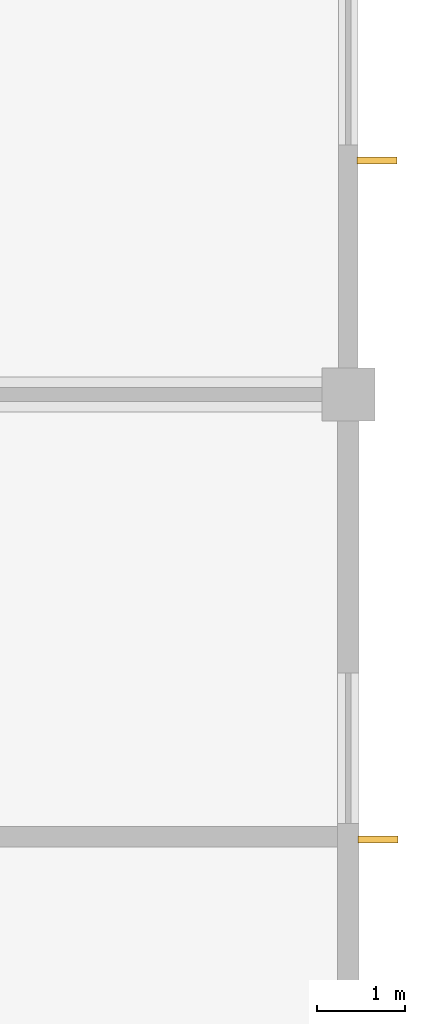
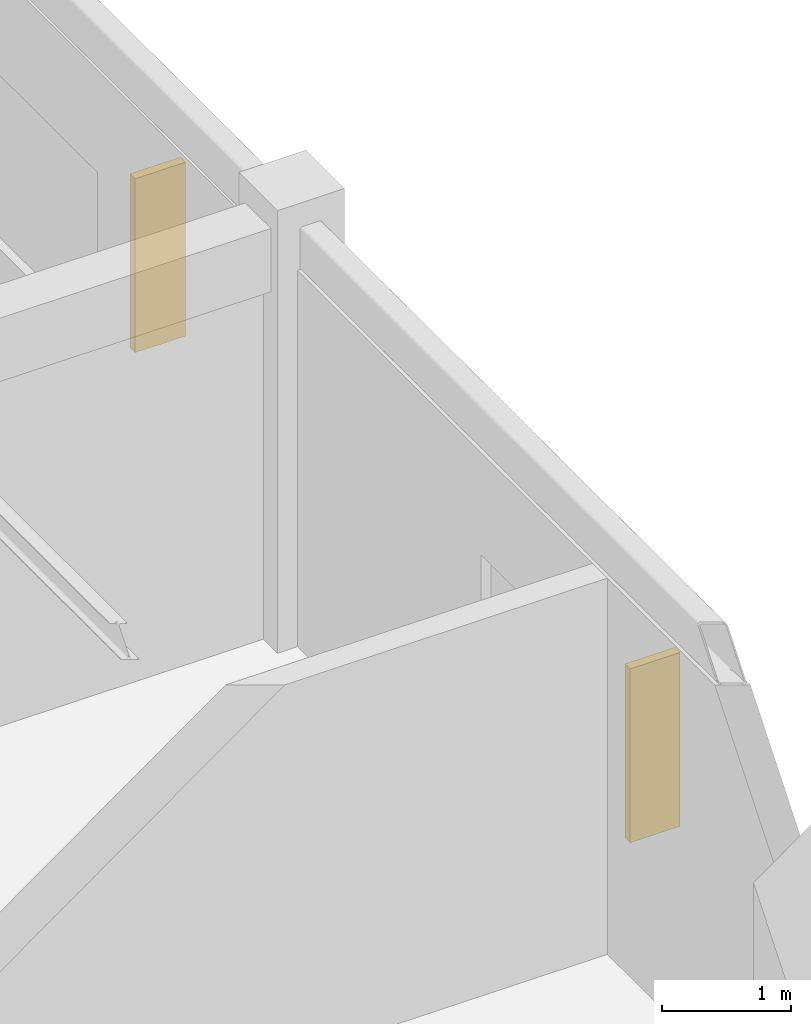
# One storey, part 27 of 27: 2 shading devices.
"""IFC4 building model written with IfcOpenShell, lengths in metres."""

from ifc_helpers import new_model, si_unit, direction, frame, origin, origin_2d, place, context, subcontext, project, spatial, rectangle, extrude, material, type_object, element, save


model = new_model("IFC4")

# Units and contexts
model_context = context("Model", 3, precision=1e-05, world=origin(), true_north=direction((0.0, 1.0)))
body_context = subcontext(model_context, "Body", "Model", "MODEL_VIEW")
ifc_project = project(units=[si_unit("LENGTHUNIT", "METRE"), si_unit("AREAUNIT", "SQUARE_METRE"), si_unit("VOLUMEUNIT", "CUBIC_METRE"), si_unit("PLANEANGLEUNIT", "RADIAN"), si_unit("MASSUNIT", "GRAM", prefix="KILO")], contexts=[model_context])

# Site, building, storey
site_placement = place(None, origin())
site = spatial("IfcSite", under=ifc_project, at=site_placement, CompositionType="ELEMENT")
building_placement = place(site_placement, origin())
building = spatial("IfcBuilding", under=site, at=building_placement, Name="Kenh Van Central Station", CompositionType="ELEMENT")
storey_placement = place(building_placement, frame((0.0, 0.0, 19.199951171875)))
storey = spatial("IfcBuildingStorey", under=building, at=storey_placement, Name="L04", CompositionType="ELEMENT", Elevation=19.199951171875)

# Shading devices
ifc_material = material(Name="Precast concrete C40/50", Category="concrete")
shading_device_type = type_object("IfcShadingDeviceType", Name="SHD-FIN-SHT", PredefinedType="SHUTTER", material=ifc_material)
for number, where, z_axis, x_axis, name in (
    (1, (176.3349609375, 58.969970703125, 0.9501953125), (0.0, 0.0, 1.0), (1.0, 0.0, 0.0), "L04 vertical brise-soleil fin 031"),
    (2, (176.324951171875, 66.64501953125, 0.9501953125), (0.0, 0.0, 1.0), (1.0, 0.0, 0.0), "L04 vertical brise-soleil fin 032"),
):
    element("IfcShadingDevice", number, at=place(storey_placement, frame(where, z_axis=z_axis, x_axis=x_axis)), inside=storey, type_object=shading_device_type, Name=name, PredefinedType="SHUTTER", context=body_context, shape_type="SweptSolid", body=[
        extrude(rectangle(XDim=0.449951171875, YDim=0.080078125, at=origin_2d()), origin(), (0.0, 0.0, 1.0), 1.64990234375),
    ])

save(model, "model.ifc")
